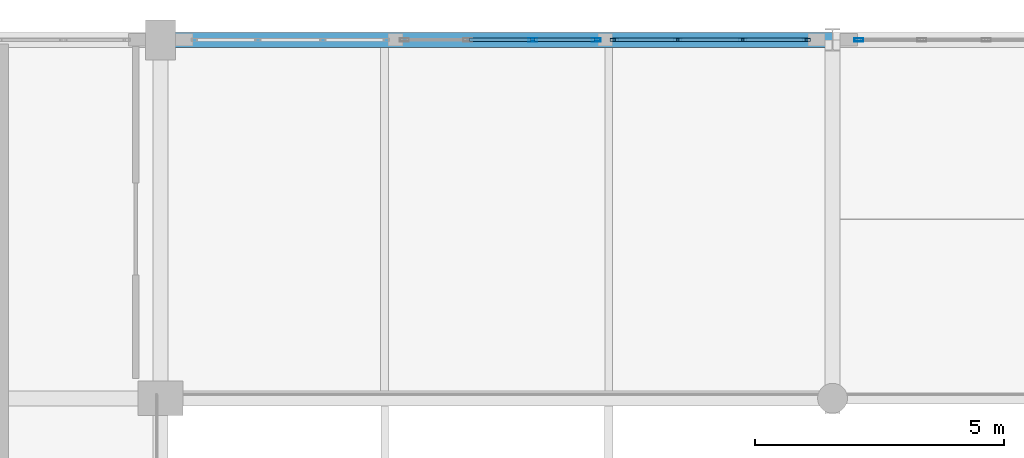
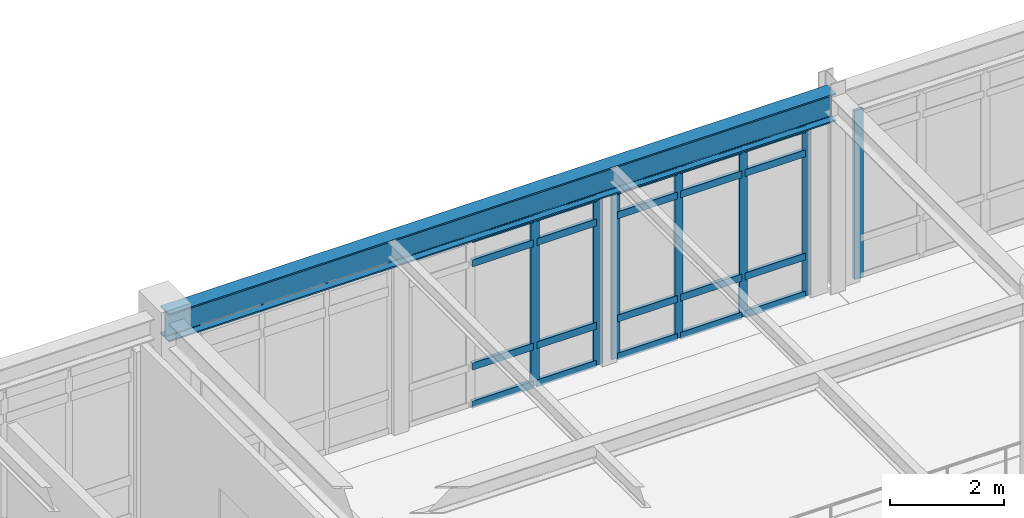
# One storey, part 26 of 61: 27 members, 1 beam, 3 elements without a shape of their own.
"""IFC4 building model written with IfcOpenShell, lengths in metres."""

import ifcopenshell
import ifcopenshell.guid

model = None  # the IFC model being written
_history = None  # IfcOwnerHistory: only IFC2X3 demands one
_inside = {}  # id of a spatial element -> (the spatial element, [elements in it])
_under = {}  # id of a project, library or spatial element -> (it, [spatial elements below it])
_declared = {}  # id of a project -> (the project, [libraries it declares])
_typed = {}  # id of a type object -> (the type object, [elements of that type])
_made_of = {}  # id of a material, layer set ... -> (it, [elements and type objects made of it])


def new_model(schema):
    """Start an empty IFC model of exactly this schema.

    Asked for "IFC4X3", IfcOpenShell would pick the latest addendum, in which some entities
    have other attributes; the version numbers below select the first issue.
    IFC2X3 requires an IfcOwnerHistory on every rooted entity: one is made here for all.
    """
    global model, _history
    if schema == "IFC4X3":
        model = ifcopenshell.file(schema_version=(4, 3, 0, 0))
    else:
        model = ifcopenshell.file(schema=schema)
    _inside.clear()
    _under.clear()
    _declared.clear()
    _typed.clear()
    _made_of.clear()
    _history = None
    if model.schema == "IFC2X3":
        org = make("IfcOrganization", Name="unknown")
        user = make(
            "IfcPersonAndOrganization",
            ThePerson=make("IfcPerson", FamilyName="unknown"),
            TheOrganization=org,
        )
        app = make(
            "IfcApplication",
            ApplicationDeveloper=org,
            Version="unknown",
            ApplicationFullName="unknown",
            ApplicationIdentifier="unknown",
        )
        _history = make(
            "IfcOwnerHistory",
            OwningUser=user,
            OwningApplication=app,
            ChangeAction="ADDED",
            CreationDate=0,
        )
    return model


def make(cls, **values):
    """One entity of the class cls with the attributes given. An attribute that is None is left unset."""
    return model.create_entity(
        cls, **{name: value for name, value in values.items() if value is not None}
    )


def rooted(cls, **values):
    """An entity with a GlobalId (a new one), such as an element, a storey or a relation."""
    return make(cls, GlobalId=ifcopenshell.guid.new(), OwnerHistory=_history, **values)


def si_unit(unit_type, name, prefix=None):
    """IfcSIUnit, for example si_unit("LENGTHUNIT", "METRE", prefix="MILLI")."""
    return make("IfcSIUnit", UnitType=unit_type, Prefix=prefix, Name=name)


def assignment(units):
    """IfcUnitAssignment: the units of a project."""
    return None if units is None else make("IfcUnitAssignment", Units=units)


def point(xyz):
    """IfcCartesianPoint."""
    return None if xyz is None else make("IfcCartesianPoint", Coordinates=xyz)


def direction(xyz):
    """IfcDirection."""
    return None if xyz is None else make("IfcDirection", DirectionRatios=xyz)


def frame(location, z_axis=None, x_axis=None):
    """IfcAxis2Placement3D, a coordinate frame: its origin and axes. An axis left out is left unset."""
    return make(
        "IfcAxis2Placement3D",
        Location=point(location),
        Axis=direction(z_axis),
        RefDirection=direction(x_axis),
    )


def frame_2d(location, x_axis=None):
    """IfcAxis2Placement2D, a coordinate frame in the plane: its origin and x axis."""
    return make(
        "IfcAxis2Placement2D", Location=point(location), RefDirection=direction(x_axis)
    )


def origin():
    """The frame at (0, 0, 0) with its axes left unset."""
    return frame((0.0, 0.0, 0.0))


def origin_2d():
    """The frame at (0, 0) in the plane with its x axis left unset."""
    return frame_2d((0.0, 0.0))


def place(relative_to, where):
    """IfcLocalPlacement: puts the frame where relative to a parent placement (None: the world)."""
    return make(
        "IfcLocalPlacement", PlacementRelTo=relative_to, RelativePlacement=where
    )


def context(
    kind, dimensions, precision=None, world=None, true_north=None, identifier=None
):
    """IfcGeometricRepresentationContext, for example the 3D "Model" context."""
    return make(
        "IfcGeometricRepresentationContext",
        ContextIdentifier=identifier,
        ContextType=kind,
        CoordinateSpaceDimension=dimensions,
        Precision=precision,
        WorldCoordinateSystem=world,
        TrueNorth=true_north,
    )


def subcontext(parent, identifier, kind, view, scale=None):
    """IfcGeometricRepresentationSubContext, for example "Body" below "Model"."""
    return make(
        "IfcGeometricRepresentationSubContext",
        ContextIdentifier=identifier,
        ContextType=kind,
        ParentContext=parent,
        TargetScale=scale,
        TargetView=view,
    )


def project(units=None, contexts=None):
    """IfcProject with its units and contexts."""
    return rooted(
        "IfcProject",
        Name="project",
        RepresentationContexts=contexts,
        UnitsInContext=assignment(units),
    )


def spatial(cls, under=None, at=None, **own):
    """A site, building, storey or space (cls), placed at a placement, below another one or the project."""
    s = rooted(cls, ObjectPlacement=at, **own)
    if under is not None:
        _under.setdefault(under.id(), (under, []))[1].append(s)
    return s


def profile(cls, at=None, kind="AREA", **sizes):
    """A parametric profile (cls). Its sizes go by their IFC names, for example OverallWidth=200.0."""
    return make(cls, ProfileType=kind, Position=at, **sizes)


def hollow_rectangle(**sizes):
    """IfcRectangleHollowProfileDef."""
    return profile("IfcRectangleHollowProfileDef", **sizes)


def i_section(**sizes):
    """IfcIShapeProfileDef."""
    return profile("IfcIShapeProfileDef", **sizes)


def extrude(swept, where, along, depth):
    """IfcExtrudedAreaSolid: the profile swept, set in the frame where, extruded along a direction by depth."""
    return make(
        "IfcExtrudedAreaSolid",
        SweptArea=swept,
        Position=where,
        ExtrudedDirection=direction(along),
        Depth=depth,
    )


def shape(context_of_items, identifier, shape_type, items):
    """IfcShapeRepresentation: the items that make up one representation, for example the "Body"."""
    return make(
        "IfcShapeRepresentation",
        ContextOfItems=context_of_items,
        RepresentationIdentifier=identifier,
        RepresentationType=shape_type,
        Items=items,
    )


def material(Name=None, Category=None):
    """IfcMaterial."""
    return make("IfcMaterial", Name=Name, Category=Category)


def layer(
    of_material, thickness, ventilated=None, Name=None, Category=None, Priority=None
):
    """IfcMaterialLayer: one layer of a wall or slab, of a material (None: an air gap)."""
    return make(
        "IfcMaterialLayer",
        Material=of_material,
        LayerThickness=thickness,
        IsVentilated=ventilated,
        Name=Name,
        Category=Category,
        Priority=Priority,
    )


def layer_set(layers, Name=None):
    """IfcMaterialLayerSet."""
    return make("IfcMaterialLayerSet", MaterialLayers=layers, LayerSetName=Name)


def material_profile(
    of_material, cross_section, Name=None, Category=None, Priority=None
):
    """IfcMaterialProfile: a cross section and its material."""
    return make(
        "IfcMaterialProfile",
        Name=Name,
        Material=of_material,
        Profile=cross_section,
        Priority=Priority,
        Category=Category,
    )


def profile_set(profiles, Name=None, composite=None):
    """IfcMaterialProfileSet."""
    return make(
        "IfcMaterialProfileSet",
        Name=Name,
        MaterialProfiles=profiles,
        CompositeProfile=composite,
    )


def made_of(thing, what):
    """Note that an element or type object is made of a material, layer set ...; save() writes the relation."""
    if what is not None:
        _made_of.setdefault(what.id(), (what, []))[1].append(thing)
    return thing


def type_object(cls, material=None, **own):
    """A type object (cls), such as IfcWallType, which elements share."""
    return made_of(rooted(cls, **own), material)


def element(
    cls,
    number,
    at=None,
    inside=None,
    cuts=None,
    type_object=None,
    material=None,
    context=None,
    identifier="Body",
    shape_type=None,
    held_by="IfcProductDefinitionShape",
    body=None,
    shapes=None,
    **own,
):
    """One element of the class cls, such as IfcWall. Its Tag is "e" and its number.

    at: its placement. inside: the storey or other place that contains it. cuts: it is an
    opening in that element (IfcRelVoidsElement). A single representation is given by context,
    identifier, shape_type and body (its items); several are given by shapes. held_by: the class
    of the entity that holds the representations. save() writes the other relations.
    """
    e = rooted(cls, Tag="e%d" % number, ObjectPlacement=at, **own)
    if body is not None:
        shapes = [shape(context, identifier, shape_type, body)]
    if shapes is not None:
        e.Representation = make(held_by, Representations=shapes)
    if inside is not None:
        _inside.setdefault(inside.id(), (inside, []))[1].append(e)
    if cuts is not None:
        rooted(
            "IfcRelVoidsElement", RelatingBuildingElement=cuts, RelatedOpeningElement=e
        )
    if type_object is not None:
        _typed.setdefault(type_object.id(), (type_object, []))[1].append(e)
    return made_of(e, material)


def aggregate(whole, parts):
    """IfcRelAggregates: a whole, such as a stair, and the parts it consists of."""
    return rooted("IfcRelAggregates", RelatingObject=whole, RelatedObjects=parts)


def save(model, path):
    """Write the relations noted so far, then the file.

    IfcRelAggregates (storeys below a building ...), IfcRelContainedInSpatialStructure (elements
    in a storey), IfcRelDefinesByType, IfcRelAssociatesMaterial and IfcRelDeclares: one each for
    every whole, place, type object, material and project.
    """
    for whole, parts in _under.values():
        aggregate(whole, parts)
    for where, things in _inside.values():
        rooted(
            "IfcRelContainedInSpatialStructure",
            RelatedElements=things,
            RelatingStructure=where,
        )
    for kind, things in _typed.values():
        rooted("IfcRelDefinesByType", RelatedObjects=things, RelatingType=kind)
    for what, things in _made_of.values():
        rooted("IfcRelAssociatesMaterial", RelatedObjects=things, RelatingMaterial=what)
    for by, libraries in _declared.values():
        rooted("IfcRelDeclares", RelatingContext=by, RelatedDefinitions=libraries)
    model.write(path)


model = new_model("IFC4")

# Units and contexts
model_context = context("Model", 3, precision=1e-05, world=origin(), true_north=direction((0.0, 1.0)))
body_context = subcontext(model_context, "Body", "Model", "MODEL_VIEW")
ifc_project = project(units=[si_unit("LENGTHUNIT", "METRE"), si_unit("AREAUNIT", "SQUARE_METRE"), si_unit("VOLUMEUNIT", "CUBIC_METRE"), si_unit("PLANEANGLEUNIT", "RADIAN"), si_unit("MASSUNIT", "GRAM", prefix="KILO")], contexts=[model_context])

# Site, building, storey
site_placement = place(None, origin())
site = spatial("IfcSite", under=ifc_project, at=site_placement, CompositionType="ELEMENT")
building_placement = place(site_placement, origin())
building = spatial("IfcBuilding", under=site, at=building_placement, Name="Fikremerkos Civic Library", CompositionType="ELEMENT")
storey_placement = place(building_placement, frame((0.0, 0.0, 14.39990234375)))
storey = spatial("IfcBuildingStorey", under=building, at=storey_placement, Name="L03", CompositionType="ELEMENT", Elevation=14.39990234375)

# Curtain wall, members
ifc_material_1 = material(Name="Anodized aluminium Frame", Category="aluminium")
ifc_layer_1 = layer(ifc_material_1, 0.159912109375, Name="Anodized aluminium Frame")
ifc_layer_set_1 = layer_set([ifc_layer_1], Name="Anodized aluminium Frame")
curtain_wall_type_1 = type_object("IfcCurtainWallType", Name="Unitised curtain wall CW-17 4600x3600", PredefinedType="USERDEFINED", material=ifc_layer_set_1)
curtain_wall_1_placement = place(storey_placement, origin())
curtain_wall_1 = element("IfcCurtainWall", 1, at=curtain_wall_1_placement, inside=storey, type_object=curtain_wall_type_1, Name="Unitised curtain wall CW-17 L03 #197", ObjectType="UNITISED CURTAIN WALL", PredefinedType="USERDEFINED")
ifc_material_profile_1 = material_profile(ifc_material_1, hollow_rectangle(XDim=0.06494140625, YDim=0.179931640625, WallThickness=0.00439453125, at=origin_2d()), Name="ALU 180x65x4.5")
ifc_profile_set_1 = profile_set([ifc_material_profile_1], Name="Anodized aluminium Frame")
member_type_1 = type_object("IfcMemberType", Name="Curtain mullion CWM-01 ALU 180x65x4.5", PredefinedType="MULLION", material=ifc_profile_set_1)
member_1_placement = place(storey_placement, frame((67.177978515625, 48.0, 0.0), z_axis=(0.0, 0.0, 1.0), x_axis=(0.0, 1.0, 0.0)))
member_1 = element("IfcMember", 2, at=member_1_placement, type_object=member_type_1, Name="CW-17 mullion 3", PredefinedType="MULLION", context=body_context, shape_type="SweptSolid", body=[
    extrude(hollow_rectangle(XDim=0.06494140625, YDim=0.179931640625, WallThickness=0.00439453125, at=origin_2d()), origin(), (0.0, 0.0, 1.0), 3.610107421875),
])
member_2_placement = place(storey_placement, frame((68.451416015625, 48.0, 0.0), z_axis=(0.0, 0.0, 1.0), x_axis=(0.0, 1.0, 0.0)))
member_2 = element("IfcMember", 3, at=member_2_placement, type_object=member_type_1, Name="CW-17 mullion 4", PredefinedType="MULLION", context=body_context, shape_type="SweptSolid", body=[
    extrude(hollow_rectangle(XDim=0.06494140625, YDim=0.179931640625, WallThickness=0.00439453125, at=origin_2d()), origin(), (0.0, 0.0, 1.0), 3.610107421875),
])

# Curtain wall, member
ifc_layer_2 = layer(ifc_material_1, 0.159912109375, Name="Anodized aluminium Frame")
ifc_layer_set_2 = layer_set([ifc_layer_2], Name="Anodized aluminium Frame")
curtain_wall_type_2 = type_object("IfcCurtainWallType", Name="Unitised curtain wall CW-01 3600x3600", PredefinedType="USERDEFINED", material=ifc_layer_set_2)
curtain_wall_2_placement = place(storey_placement, origin())
curtain_wall_2 = element("IfcCurtainWall", 4, at=curtain_wall_2_placement, inside=storey, type_object=curtain_wall_type_2, Name="Unitised curtain wall CW-01 L03 #199", ObjectType="UNITISED CURTAIN WALL", PredefinedType="USERDEFINED")
member_3_placement = place(storey_placement, frame((73.73046875, 48.0, 0.0), z_axis=(0.0, 0.0, 1.0), x_axis=(0.0, 1.0, 0.0)))
member_3 = element("IfcMember", 5, at=member_3_placement, type_object=member_type_1, Name="CW-01 mullion 1", PredefinedType="MULLION", context=body_context, shape_type="SweptSolid", body=[
    extrude(hollow_rectangle(XDim=0.06494140625, YDim=0.179931640625, WallThickness=0.00439453125, at=origin_2d()), origin(), (0.0, 0.0, 1.0), 3.610107421875),
])
aggregate(curtain_wall_2, [member_3])

# Curtain wall, members
ifc_layer_3 = layer(ifc_material_1, 0.159912109375, Name="Anodized aluminium Frame")
ifc_layer_set_3 = layer_set([ifc_layer_3], Name="Anodized aluminium Frame")
curtain_wall_type_3 = type_object("IfcCurtainWallType", Name="Unitised curtain wall CW-18 2700x3400", PredefinedType="USERDEFINED", material=ifc_layer_set_3)
curtain_wall_3_placement = place(storey_placement, origin())
curtain_wall_3 = element("IfcCurtainWall", 6, at=curtain_wall_3_placement, inside=storey, type_object=curtain_wall_type_3, Name="Unitised curtain wall CW-18 L03 #198", ObjectType="UNITISED CURTAIN WALL", PredefinedType="USERDEFINED")
ifc_material_profile_2 = material_profile(ifc_material_1, hollow_rectangle(XDim=0.06005859375, YDim=0.159912109375, WallThickness=0.00390625, at=origin_2d()), Name="ALU 160x60x4")
ifc_profile_set_2 = profile_set([ifc_material_profile_2], Name="Anodized aluminium Frame")
member_type_2 = type_object("IfcMemberType", Name="Curtain mullion CWM-02 ALU 160x60x4", PredefinedType="MULLION", material=ifc_profile_set_2)
member_4_placement = place(storey_placement, frame((68.81396484375, 48.0, 0.0), z_axis=(0.0, 0.0, 1.0), x_axis=(0.0, 1.0, 0.0)))
member_4 = element("IfcMember", 7, at=member_4_placement, type_object=member_type_2, Name="CW-18 mullion 1", PredefinedType="MULLION", context=body_context, shape_type="SweptSolid", body=[
    extrude(hollow_rectangle(XDim=0.06005859375, YDim=0.159912109375, WallThickness=0.00390625, at=origin_2d()), origin(), (0.0, 0.0, 1.0), 3.610107421875),
])
member_5_placement = place(storey_placement, frame((70.090087890625, 48.0, 0.0), z_axis=(0.0, 0.0, 1.0), x_axis=(0.0, 1.0, 0.0)))
member_5 = element("IfcMember", 8, at=member_5_placement, type_object=member_type_2, Name="CW-18 mullion 2", PredefinedType="MULLION", context=body_context, shape_type="SweptSolid", body=[
    extrude(hollow_rectangle(XDim=0.06005859375, YDim=0.159912109375, WallThickness=0.00390625, at=origin_2d()), origin(), (0.0, 0.0, 1.0), 3.610107421875),
])
member_6_placement = place(storey_placement, frame((71.39599609375, 48.0, 0.0), z_axis=(0.0, 0.0, 1.0), x_axis=(0.0, 1.0, 0.0)))
member_6 = element("IfcMember", 9, at=member_6_placement, type_object=member_type_2, Name="CW-18 mullion 3", PredefinedType="MULLION", context=body_context, shape_type="SweptSolid", body=[
    extrude(hollow_rectangle(XDim=0.06005859375, YDim=0.159912109375, WallThickness=0.00390625, at=origin_2d()), origin(), (0.0, 0.0, 1.0), 3.610107421875),
])
member_7_placement = place(storey_placement, frame((72.672119140625, 48.0, 0.0), z_axis=(0.0, 0.0, 1.0), x_axis=(0.0, 1.0, 0.0)))
member_7 = element("IfcMember", 10, at=member_7_placement, type_object=member_type_2, Name="CW-18 mullion 4", PredefinedType="MULLION", context=body_context, shape_type="SweptSolid", body=[
    extrude(hollow_rectangle(XDim=0.06005859375, YDim=0.159912109375, WallThickness=0.00390625, at=origin_2d()), origin(), (0.0, 0.0, 1.0), 3.610107421875),
])

# Member
ifc_material_profile_3 = material_profile(ifc_material_1, hollow_rectangle(XDim=0.070068359375, YDim=0.14990234375, WallThickness=0.00439453125, at=origin_2d()), Name="ALU 150x70x4.5")
ifc_profile_set_3 = profile_set([ifc_material_profile_3], Name="Anodized aluminium Frame")
member_type_3 = type_object("IfcMemberType", Name="Curtain transom CWT-01 ALU 150x70x4.5", PredefinedType="USERDEFINED", material=ifc_profile_set_3)
member_8_placement = place(storey_placement, frame((65.904541015625, 48.0, 0.03515625), z_axis=(1.0, 0.0, 0.0), x_axis=(0.0, 1.0, 0.0)))
member_8 = element("IfcMember", 11, at=member_8_placement, type_object=member_type_3, Name="CW-17 transom 2.1", ObjectType="TRANSOM", PredefinedType="USERDEFINED", context=body_context, shape_type="SweptSolid", body=[
    extrude(hollow_rectangle(XDim=0.070068359375, YDim=0.14990234375, WallThickness=0.00439453125, at=origin_2d()), origin(), (0.0, 0.0, 1.0), 1.240966796875),
])

member_9_placement = place(storey_placement, frame((65.904541015625, 48.0, 0.85009765625), z_axis=(1.0, 0.0, 0.0), x_axis=(0.0, 1.0, 0.0)))
member_9 = element("IfcMember", 12, at=member_9_placement, type_object=member_type_3, Name="CW-17 transom 2.2", ObjectType="TRANSOM", PredefinedType="USERDEFINED", context=body_context, shape_type="SweptSolid", body=[
    extrude(hollow_rectangle(XDim=0.070068359375, YDim=0.14990234375, WallThickness=0.00439453125, at=origin_2d()), origin(), (0.0, 0.0, 1.0), 1.240966796875),
])

member_10_placement = place(storey_placement, frame((65.904541015625, 48.0, 3.06005859375), z_axis=(1.0, 0.0, 0.0), x_axis=(0.0, 1.0, 0.0)))
member_10 = element("IfcMember", 13, at=member_10_placement, type_object=member_type_3, Name="CW-17 transom 2.3", ObjectType="TRANSOM", PredefinedType="USERDEFINED", context=body_context, shape_type="SweptSolid", body=[
    extrude(hollow_rectangle(XDim=0.070068359375, YDim=0.14990234375, WallThickness=0.00439453125, at=origin_2d()), origin(), (0.0, 0.0, 1.0), 1.240966796875),
])

member_11_placement = place(storey_placement, frame((65.904541015625, 48.0, 3.5751953125), z_axis=(1.0, 0.0, 0.0), x_axis=(0.0, 1.0, 0.0)))
member_11 = element("IfcMember", 14, at=member_11_placement, type_object=member_type_3, Name="CW-17 transom 2.4", ObjectType="TRANSOM", PredefinedType="USERDEFINED", context=body_context, shape_type="SweptSolid", body=[
    extrude(hollow_rectangle(XDim=0.070068359375, YDim=0.14990234375, WallThickness=0.00439453125, at=origin_2d()), origin(), (0.0, 0.0, 1.0), 1.240966796875),
])

member_12_placement = place(storey_placement, frame((67.21044921875, 48.0, 0.03515625), z_axis=(1.0, 0.0, 0.0), x_axis=(0.0, 1.0, 0.0)))
member_12 = element("IfcMember", 15, at=member_12_placement, type_object=member_type_3, Name="CW-17 transom 3.1", ObjectType="TRANSOM", PredefinedType="USERDEFINED", context=body_context, shape_type="SweptSolid", body=[
    extrude(hollow_rectangle(XDim=0.070068359375, YDim=0.14990234375, WallThickness=0.00439453125, at=origin_2d()), origin(), (0.0, 0.0, 1.0), 1.20849609375),
])

member_13_placement = place(storey_placement, frame((67.21044921875, 48.0, 0.85009765625), z_axis=(1.0, 0.0, 0.0), x_axis=(0.0, 1.0, 0.0)))
member_13 = element("IfcMember", 16, at=member_13_placement, type_object=member_type_3, Name="CW-17 transom 3.2", ObjectType="TRANSOM", PredefinedType="USERDEFINED", context=body_context, shape_type="SweptSolid", body=[
    extrude(hollow_rectangle(XDim=0.070068359375, YDim=0.14990234375, WallThickness=0.00439453125, at=origin_2d()), origin(), (0.0, 0.0, 1.0), 1.20849609375),
])

member_14_placement = place(storey_placement, frame((67.21044921875, 48.0, 3.06005859375), z_axis=(1.0, 0.0, 0.0), x_axis=(0.0, 1.0, 0.0)))
member_14 = element("IfcMember", 17, at=member_14_placement, type_object=member_type_3, Name="CW-17 transom 3.3", ObjectType="TRANSOM", PredefinedType="USERDEFINED", context=body_context, shape_type="SweptSolid", body=[
    extrude(hollow_rectangle(XDim=0.070068359375, YDim=0.14990234375, WallThickness=0.00439453125, at=origin_2d()), origin(), (0.0, 0.0, 1.0), 1.20849609375),
])

member_15_placement = place(storey_placement, frame((67.21044921875, 48.0, 3.5751953125), z_axis=(1.0, 0.0, 0.0), x_axis=(0.0, 1.0, 0.0)))
member_15 = element("IfcMember", 18, at=member_15_placement, type_object=member_type_3, Name="CW-17 transom 3.4", ObjectType="TRANSOM", PredefinedType="USERDEFINED", context=body_context, shape_type="SweptSolid", body=[
    extrude(hollow_rectangle(XDim=0.070068359375, YDim=0.14990234375, WallThickness=0.00439453125, at=origin_2d()), origin(), (0.0, 0.0, 1.0), 1.20849609375),
])

aggregate(curtain_wall_1, [member_1, member_2, member_8, member_9, member_10, member_11, member_12, member_13, member_14, member_15])

member_16_placement = place(storey_placement, frame((68.843994140625, 48.0, 0.03515625), z_axis=(1.0, 0.0, 0.0), x_axis=(0.0, 1.0, 0.0)))
member_16 = element("IfcMember", 19, at=member_16_placement, type_object=member_type_3, Name="CW-18 transom 1.1", ObjectType="TRANSOM", PredefinedType="USERDEFINED", context=body_context, shape_type="SweptSolid", body=[
    extrude(hollow_rectangle(XDim=0.070068359375, YDim=0.14990234375, WallThickness=0.00439453125, at=origin_2d()), origin(), (0.0, 0.0, 1.0), 1.216064453125),
])

member_17_placement = place(storey_placement, frame((68.843994140625, 48.0, 0.85009765625), z_axis=(1.0, 0.0, 0.0), x_axis=(0.0, 1.0, 0.0)))
member_17 = element("IfcMember", 20, at=member_17_placement, type_object=member_type_3, Name="CW-18 transom 1.2", ObjectType="TRANSOM", PredefinedType="USERDEFINED", context=body_context, shape_type="SweptSolid", body=[
    extrude(hollow_rectangle(XDim=0.070068359375, YDim=0.14990234375, WallThickness=0.00439453125, at=origin_2d()), origin(), (0.0, 0.0, 1.0), 1.216064453125),
])

member_18_placement = place(storey_placement, frame((68.843994140625, 48.0, 3.06005859375), z_axis=(1.0, 0.0, 0.0), x_axis=(0.0, 1.0, 0.0)))
member_18 = element("IfcMember", 21, at=member_18_placement, type_object=member_type_3, Name="CW-18 transom 1.3", ObjectType="TRANSOM", PredefinedType="USERDEFINED", context=body_context, shape_type="SweptSolid", body=[
    extrude(hollow_rectangle(XDim=0.070068359375, YDim=0.14990234375, WallThickness=0.00439453125, at=origin_2d()), origin(), (0.0, 0.0, 1.0), 1.216064453125),
])

member_19_placement = place(storey_placement, frame((68.843994140625, 48.0, 3.5751953125), z_axis=(1.0, 0.0, 0.0), x_axis=(0.0, 1.0, 0.0)))
member_19 = element("IfcMember", 22, at=member_19_placement, type_object=member_type_3, Name="CW-18 transom 1.4", ObjectType="TRANSOM", PredefinedType="USERDEFINED", context=body_context, shape_type="SweptSolid", body=[
    extrude(hollow_rectangle(XDim=0.070068359375, YDim=0.14990234375, WallThickness=0.00439453125, at=origin_2d()), origin(), (0.0, 0.0, 1.0), 1.216064453125),
])

member_20_placement = place(storey_placement, frame((70.1201171875, 48.0, 0.03515625), z_axis=(1.0, 0.0, 0.0), x_axis=(0.0, 1.0, 0.0)))
member_20 = element("IfcMember", 23, at=member_20_placement, type_object=member_type_3, Name="CW-18 transom 2.1", ObjectType="TRANSOM", PredefinedType="USERDEFINED", context=body_context, shape_type="SweptSolid", body=[
    extrude(hollow_rectangle(XDim=0.070068359375, YDim=0.14990234375, WallThickness=0.00439453125, at=origin_2d()), origin(), (0.0, 0.0, 1.0), 1.245849609375),
])

member_21_placement = place(storey_placement, frame((70.1201171875, 48.0, 0.85009765625), z_axis=(1.0, 0.0, 0.0), x_axis=(0.0, 1.0, 0.0)))
member_21 = element("IfcMember", 24, at=member_21_placement, type_object=member_type_3, Name="CW-18 transom 2.2", ObjectType="TRANSOM", PredefinedType="USERDEFINED", context=body_context, shape_type="SweptSolid", body=[
    extrude(hollow_rectangle(XDim=0.070068359375, YDim=0.14990234375, WallThickness=0.00439453125, at=origin_2d()), origin(), (0.0, 0.0, 1.0), 1.245849609375),
])

member_22_placement = place(storey_placement, frame((70.1201171875, 48.0, 3.06005859375), z_axis=(1.0, 0.0, 0.0), x_axis=(0.0, 1.0, 0.0)))
member_22 = element("IfcMember", 25, at=member_22_placement, type_object=member_type_3, Name="CW-18 transom 2.3", ObjectType="TRANSOM", PredefinedType="USERDEFINED", context=body_context, shape_type="SweptSolid", body=[
    extrude(hollow_rectangle(XDim=0.070068359375, YDim=0.14990234375, WallThickness=0.00439453125, at=origin_2d()), origin(), (0.0, 0.0, 1.0), 1.245849609375),
])

member_23_placement = place(storey_placement, frame((70.1201171875, 48.0, 3.5751953125), z_axis=(1.0, 0.0, 0.0), x_axis=(0.0, 1.0, 0.0)))
member_23 = element("IfcMember", 26, at=member_23_placement, type_object=member_type_3, Name="CW-18 transom 2.4", ObjectType="TRANSOM", PredefinedType="USERDEFINED", context=body_context, shape_type="SweptSolid", body=[
    extrude(hollow_rectangle(XDim=0.070068359375, YDim=0.14990234375, WallThickness=0.00439453125, at=origin_2d()), origin(), (0.0, 0.0, 1.0), 1.245849609375),
])

member_24_placement = place(storey_placement, frame((71.426025390625, 48.0, 0.03515625), z_axis=(1.0, 0.0, 0.0), x_axis=(0.0, 1.0, 0.0)))
member_24 = element("IfcMember", 27, at=member_24_placement, type_object=member_type_3, Name="CW-18 transom 3.1", ObjectType="TRANSOM", PredefinedType="USERDEFINED", context=body_context, shape_type="SweptSolid", body=[
    extrude(hollow_rectangle(XDim=0.070068359375, YDim=0.14990234375, WallThickness=0.00439453125, at=origin_2d()), origin(), (0.0, 0.0, 1.0), 1.216064453125),
])

member_25_placement = place(storey_placement, frame((71.426025390625, 48.0, 0.85009765625), z_axis=(1.0, 0.0, 0.0), x_axis=(0.0, 1.0, 0.0)))
member_25 = element("IfcMember", 28, at=member_25_placement, type_object=member_type_3, Name="CW-18 transom 3.2", ObjectType="TRANSOM", PredefinedType="USERDEFINED", context=body_context, shape_type="SweptSolid", body=[
    extrude(hollow_rectangle(XDim=0.070068359375, YDim=0.14990234375, WallThickness=0.00439453125, at=origin_2d()), origin(), (0.0, 0.0, 1.0), 1.216064453125),
])

member_26_placement = place(storey_placement, frame((71.426025390625, 48.0, 3.06005859375), z_axis=(1.0, 0.0, 0.0), x_axis=(0.0, 1.0, 0.0)))
member_26 = element("IfcMember", 29, at=member_26_placement, type_object=member_type_3, Name="CW-18 transom 3.3", ObjectType="TRANSOM", PredefinedType="USERDEFINED", context=body_context, shape_type="SweptSolid", body=[
    extrude(hollow_rectangle(XDim=0.070068359375, YDim=0.14990234375, WallThickness=0.00439453125, at=origin_2d()), origin(), (0.0, 0.0, 1.0), 1.216064453125),
])

member_27_placement = place(storey_placement, frame((71.426025390625, 48.0, 3.5751953125), z_axis=(1.0, 0.0, 0.0), x_axis=(0.0, 1.0, 0.0)))
member_27 = element("IfcMember", 30, at=member_27_placement, type_object=member_type_3, Name="CW-18 transom 3.4", ObjectType="TRANSOM", PredefinedType="USERDEFINED", context=body_context, shape_type="SweptSolid", body=[
    extrude(hollow_rectangle(XDim=0.070068359375, YDim=0.14990234375, WallThickness=0.00439453125, at=origin_2d()), origin(), (0.0, 0.0, 1.0), 1.216064453125),
])

aggregate(curtain_wall_3, [member_4, member_5, member_6, member_7, member_16, member_17, member_18, member_19, member_20, member_21, member_22, member_23, member_24, member_25, member_26, member_27])

# Beam
ifc_material_2 = material(Name="Steel S355", Category="steel")
ifc_material_profile_4 = material_profile(ifc_material_2, i_section(OverallWidth=0.300048828125, OverallDepth=0.60009765625, WebThickness=0.015380859375, FlangeThickness=0.030029296875, FilletRadius=0.027099609375, at=origin_2d()), Name="HEB 600")
ifc_profile_set_4 = profile_set([ifc_material_profile_4], Name="Steel S355")
beam_type = type_object("IfcBeamType", Name="Primary girder BM-13 HEB 600", PredefinedType="BEAM", material=ifc_profile_set_4)
beam_placement = place(storey_placement, frame((59.699951171875, 48.0, 3.920166015625), z_axis=(1.0, 0.0, 0.0), x_axis=(0.0, 1.0, 0.0)))
element("IfcBeam", 31, at=beam_placement, inside=storey, type_object=beam_type, Name="Primary girder BM-13 L03 grid J", PredefinedType="BEAM", context=body_context, shape_type="SweptSolid", body=[
    extrude(i_section(OverallWidth=0.300048828125, OverallDepth=0.60009765625, WebThickness=0.015380859375, FlangeThickness=0.030029296875, FilletRadius=0.027099609375, at=origin_2d()), origin(), (0.0, 0.0, 1.0), 13.5),
])

save(model, "model.ifc")
